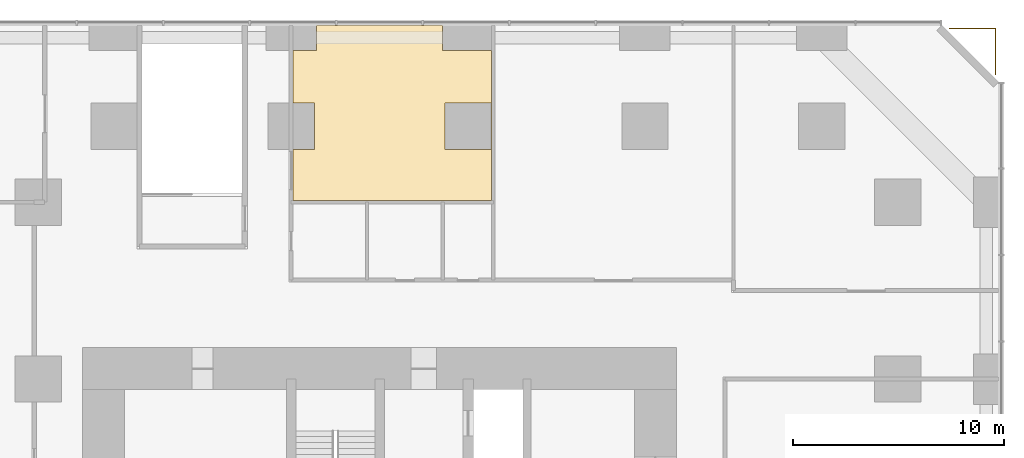
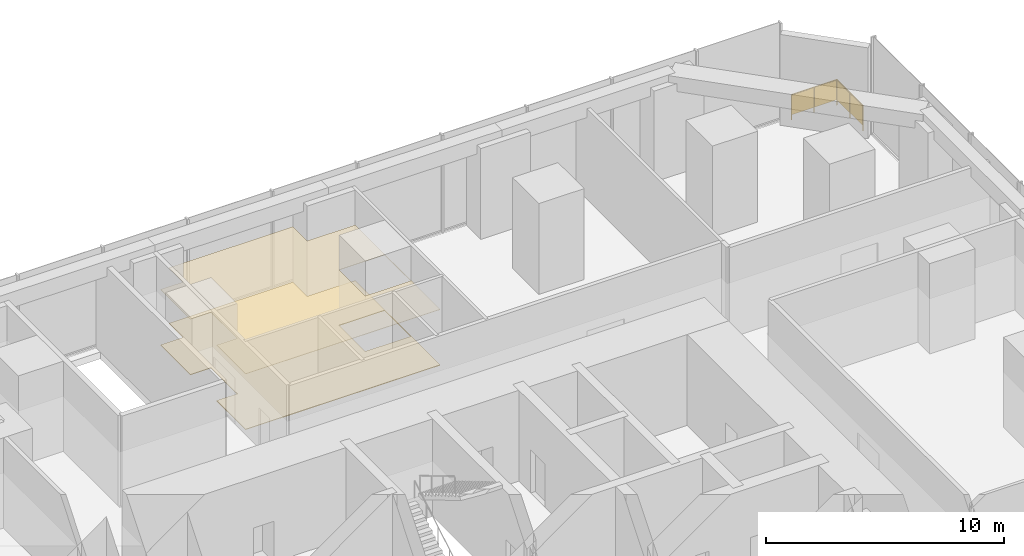
# One storey, part 12 of 12: 2 coverings, 1 railing.
"""IFC4 building model written with IfcOpenShell, lengths in metres."""

from ifc_helpers import new_model, si_unit, direction, frame, origin, origin_2d, place, context, subcontext, project, spatial, polyline, circle, outline, extrude, material, layer, layer_set, type_object, element, save


model = new_model("IFC4")

# Units and contexts
model_context = context("Model", 3, precision=1e-05, world=origin(), true_north=direction((0.0, 1.0)))
body_context = subcontext(model_context, "Body", "Model", "MODEL_VIEW")
ifc_project = project(units=[si_unit("LENGTHUNIT", "METRE"), si_unit("AREAUNIT", "SQUARE_METRE"), si_unit("VOLUMEUNIT", "CUBIC_METRE"), si_unit("PLANEANGLEUNIT", "RADIAN"), si_unit("MASSUNIT", "GRAM", prefix="KILO")], contexts=[model_context])

# Site, building, storey
site_placement = place(None, origin())
site = spatial("IfcSite", under=ifc_project, at=site_placement, CompositionType="ELEMENT")
building_placement = place(site_placement, origin())
building = spatial("IfcBuilding", under=site, at=building_placement, Name="Dunama Terrace Hotel", CompositionType="ELEMENT")
storey_placement = place(building_placement, frame((0.0, 0.0, 22.0)))
storey = spatial("IfcBuildingStorey", under=building, at=storey_placement, Name="L04", CompositionType="ELEMENT", Elevation=22.0)

# Railing
ifc_material_1 = material(Name="Stainless steel and laminated glass guard", Category="steel")
railing_type = type_object("IfcRailingType", Name="Guard 1100", PredefinedType="GUARDRAIL", material=ifc_material_1)
railing_placement = place(storey_placement, frame((58.64990234375, 56.4619140625, 0.220947265625)))
element("IfcRailing", 1, at=railing_placement, inside=storey, type_object=railing_type, Name="Terrace guard L04", PredefinedType="GUARDRAIL", context=body_context, shape_type="SweptSolid", body=[
    extrude(circle(Radius=0.02392578125, at=origin_2d()), frame((0.0, 0.0, 1.076171875), z_axis=(0.0, 1.0, 0.0), x_axis=(-1.0, 0.0, 0.0)), (0.0, 0.0, 1.0), 2.18798828125),
    extrude(circle(Radius=0.02392578125, at=origin_2d()), frame((0.0, 2.18798828125, 1.076171875), z_axis=(-1.0, 0.0, 0.0), x_axis=(0.0, -1.0, 0.0)), (0.0, 0.0, 1.0), 2.18798828125),
    extrude(circle(Radius=0.02099609375, at=origin_2d()), frame((0.0, 0.0, -0.220947265625)), (0.0, 0.0, 1.0), 1.27294921875),
    extrude(circle(Radius=0.02099609375, at=origin_2d()), frame((0.0, 1.093994140625, -0.220947265625)), (0.0, 0.0, 1.0), 1.27294921875),
    extrude(circle(Radius=0.02099609375, at=origin_2d()), frame((0.0, 2.18798828125, -0.220947265625)), (0.0, 0.0, 1.0), 1.27294921875),
    extrude(circle(Radius=0.02099609375, at=origin_2d()), frame((-1.093994140625, 2.18798828125, -0.220947265625)), (0.0, 0.0, 1.0), 1.27294921875),
    extrude(circle(Radius=0.02099609375, at=origin_2d()), frame((-2.18798828125, 2.18798828125, -0.220947265625)), (0.0, 0.0, 1.0), 1.27294921875),
    extrude(outline(polyline([(0.0048828125, 0.050048828125), (1.089111328125, 0.050048828125), (1.089111328125, 1.076171875), (0.0048828125, 1.076171875), (0.0048828125, 0.050048828125)])), frame((-0.0087890625, 0.0, 0.0), z_axis=(1.0, 0.0, 0.0), x_axis=(0.0, 1.0, 0.0)), (0.0, 0.0, 1.0), 0.017578125),
    extrude(outline(polyline([(0.0048828125, 0.050048828125), (1.089111328125, 0.050048828125), (1.089111328125, 1.076171875), (0.0048828125, 1.076171875), (0.0048828125, 0.050048828125)])), frame((-0.0087890625, 1.093994140625, 0.0), z_axis=(1.0, 0.0, 0.0), x_axis=(0.0, 1.0, 0.0)), (0.0, 0.0, 1.0), 0.017578125),
    extrude(outline(polyline([(0.0048828125, 0.050048828125), (1.089111328125, 0.050048828125), (1.089111328125, 1.076171875), (0.0048828125, 1.076171875), (0.0048828125, 0.050048828125)])), frame((0.0, 2.17919921875, 0.0), z_axis=(0.0, 1.0, 0.0), x_axis=(-1.0, 0.0, 0.0)), (0.0, 0.0, 1.0), 0.017578125),
    extrude(outline(polyline([(0.0048828125, 0.050048828125), (1.089111328125, 0.050048828125), (1.089111328125, 1.076171875), (0.0048828125, 1.076171875), (0.0048828125, 0.050048828125)])), frame((-1.093994140625, 2.17919921875, 0.0), z_axis=(0.0, 1.0, 0.0), x_axis=(-1.0, 0.0, 0.0)), (0.0, 0.0, 1.0), 0.017578125),
])

# Coverings
ifc_material_2 = material(Name="Natural stone floor tiles", Category="masonry")
ifc_layer_1 = layer(ifc_material_2, 0.030029296875)
ifc_layer_set_1 = layer_set([ifc_layer_1], Name="Stone floor finish 30")
covering_type_1 = type_object("IfcCoveringType", Name="Stone floor finish 30", PredefinedType="FLOORING", material=ifc_layer_set_1)
covering_1_placement = place(storey_placement, origin())
element("IfcCovering", 2, at=covering_1_placement, inside=storey, type_object=covering_type_1, Name="Floor finish L04-35", PredefinedType="FLOORING", context=body_context, shape_type="SweptSolid", body=[
    extrude(outline(polyline([(32.39990234375, 58.800048828125), (26.39990234375, 58.800048828125), (26.39990234375, 57.60009765625), (25.300048828125, 57.60009765625), (25.300048828125, 55.10009765625), (26.300048828125, 55.10009765625), (26.300048828125, 52.89990234375), (25.300048828125, 52.89990234375), (25.300048828125, 50.47509765625), (28.72509765625, 50.47509765625), (28.875, 50.47509765625), (32.324951171875, 50.47509765625), (32.47509765625, 50.47509765625), (34.72509765625, 50.47509765625), (34.72509765625, 57.60009765625), (32.39990234375, 57.60009765625), (32.39990234375, 58.800048828125)]), holes=[polyline([(32.5, 55.10009765625), (34.699951171875, 55.10009765625), (34.699951171875, 52.89990234375), (32.5, 52.89990234375), (32.5, 55.10009765625)])]), origin(), (0.0, 0.0, 1.0), 0.030029296875),
])
ifc_material_3 = material(Name="Gypsum plasterboard ceiling")
ifc_layer_2 = layer(ifc_material_3, 0.02001953125)
ifc_layer_set_2 = layer_set([ifc_layer_2], Name="Suspended ceiling 20")
covering_type_2 = type_object("IfcCoveringType", Name="Suspended ceiling 20", PredefinedType="CEILING", material=ifc_layer_set_2)
covering_2_placement = place(storey_placement, frame((0.0, 0.0, 2.85009765625)))
element("IfcCovering", 3, at=covering_2_placement, inside=storey, type_object=covering_type_2, Name="Ceiling L04-35", PredefinedType="CEILING", context=body_context, shape_type="SweptSolid", body=[
    extrude(outline(polyline([(32.39990234375, 57.60009765625), (32.39990234375, 58.800048828125), (26.39990234375, 58.800048828125), (26.39990234375, 57.60009765625), (25.300048828125, 57.60009765625), (25.300048828125, 55.10009765625), (26.300048828125, 55.10009765625), (26.300048828125, 52.89990234375), (25.300048828125, 52.89990234375), (25.300048828125, 50.47509765625), (28.72509765625, 50.47509765625), (28.875, 50.47509765625), (32.324951171875, 50.47509765625), (32.47509765625, 50.47509765625), (34.72509765625, 50.47509765625), (34.72509765625, 57.60009765625), (32.39990234375, 57.60009765625)]), holes=[polyline([(32.5, 52.89990234375), (32.5, 55.10009765625), (34.699951171875, 55.10009765625), (34.699951171875, 52.89990234375), (32.5, 52.89990234375)])]), origin(), (0.0, 0.0, 1.0), 0.02001953125),
])

save(model, "model.ifc")
